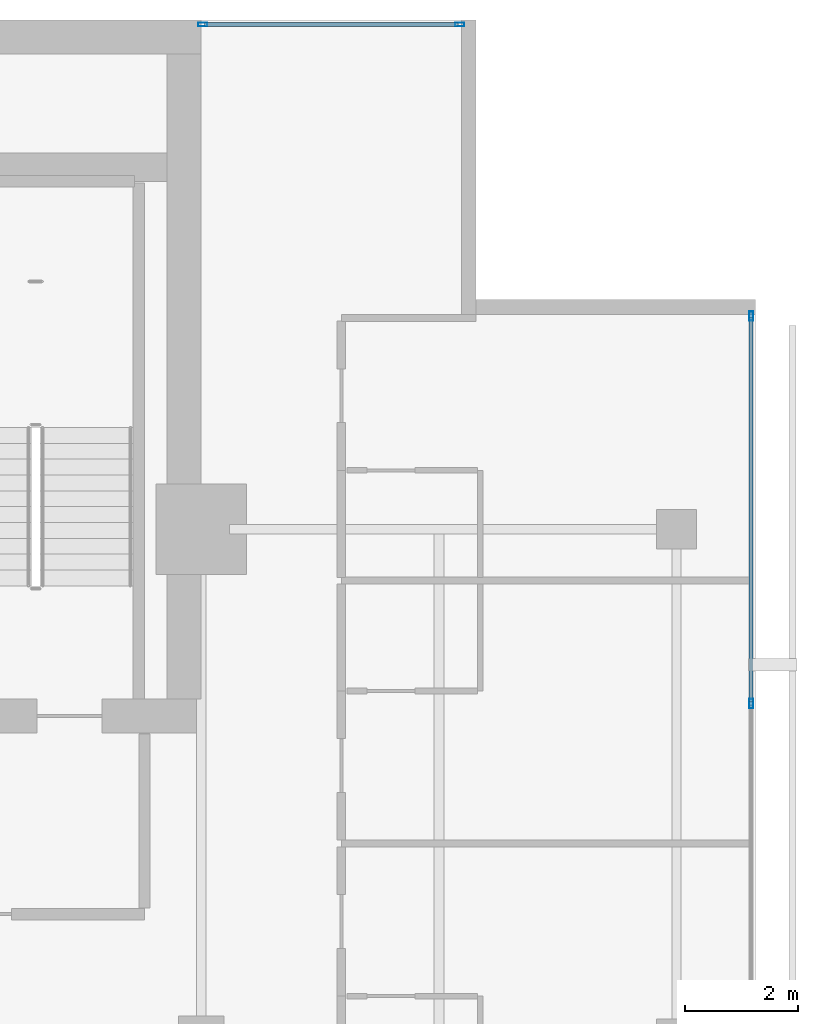
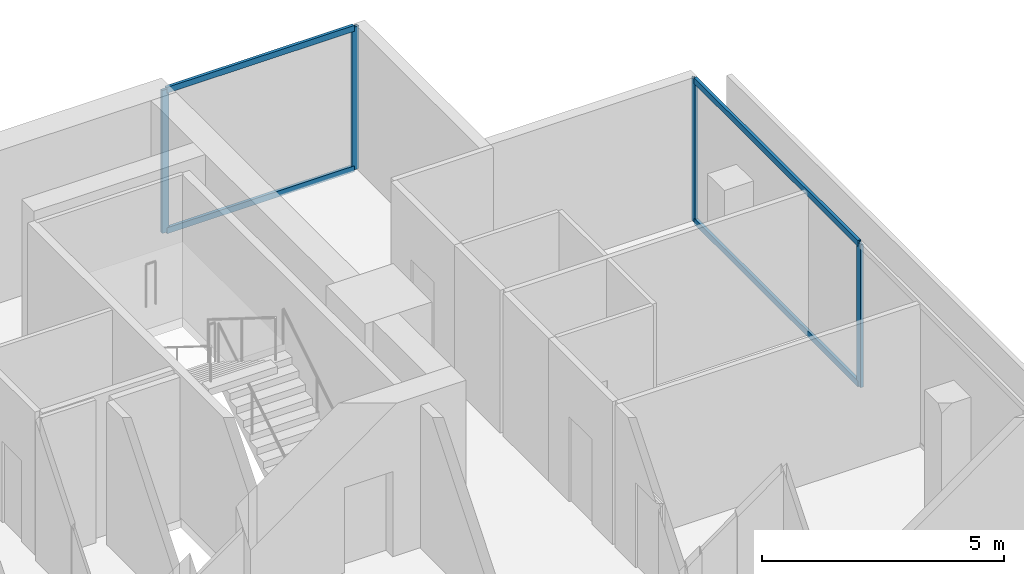
# One storey, part 18 of 26: 8 members, 2 elements without a shape of their own.
"""IFC4 building model written with IfcOpenShell, lengths in metres."""

from ifc_helpers import new_model, si_unit, direction, frame, origin, origin_2d, place, context, subcontext, project, spatial, hollow_rectangle, extrude, material, layer, layer_set, material_profile, profile_set, type_object, element, aggregate, save


model = new_model("IFC4")

# Units and contexts
model_context = context("Model", 3, precision=1e-05, world=origin(), true_north=direction((0.0, 1.0)))
body_context = subcontext(model_context, "Body", "Model", "MODEL_VIEW")
ifc_project = project(units=[si_unit("LENGTHUNIT", "METRE"), si_unit("AREAUNIT", "SQUARE_METRE"), si_unit("VOLUMEUNIT", "CUBIC_METRE"), si_unit("PLANEANGLEUNIT", "RADIAN"), si_unit("MASSUNIT", "GRAM", prefix="KILO")], contexts=[model_context])

# Site, building, storey
site_placement = place(None, origin())
site = spatial("IfcSite", under=ifc_project, at=site_placement, CompositionType="ELEMENT")
building_placement = place(site_placement, origin())
building = spatial("IfcBuilding", under=site, at=building_placement, Name="Maruvema Waterfront Hotel and Observation Tower", CompositionType="ELEMENT")
storey_placement = place(building_placement, frame((0.0, 0.0, 289.449951171875)))
storey = spatial("IfcBuildingStorey", under=building, at=storey_placement, Name="L71", CompositionType="ELEMENT", Elevation=289.449951171875)

# Curtain wall, members
ifc_material_1 = material(Name="Anodised bronze aluminium and solar-control low-E IGU", Category="aluminium")
ifc_layer = layer(ifc_material_1, 0.159912109375, Name="Zone 3 Champagne Inner Thermal Curtain Wall System CW-04")
ifc_layer_set = layer_set([ifc_layer], Name="Anodised bronze aluminium and solar-control low-E IGU")
curtain_wall_type = type_object("IfcCurtainWallType", Name="Zone 3 Champagne Inner Thermal Curtain Wall System CW-04", PredefinedType="USERDEFINED", material=ifc_layer_set)
curtain_wall_1_placement = place(storey_placement, origin())
curtain_wall_1 = element("IfcCurtainWall", 1, at=curtain_wall_1_placement, inside=storey, type_object=curtain_wall_type, Name="L71 Curtain Wall CW-L71-E", ObjectType="UNITISED CURTAIN WALL", PredefinedType="USERDEFINED")
ifc_material_2 = material(Name="Anodised architectural bronze aluminium", Category="aluminium")
ifc_material_profile_1 = material_profile(ifc_material_2, hollow_rectangle(XDim=0.070068359375, YDim=0.14990234375, WallThickness=0.00390625, at=origin_2d()), Name="ALU-T70x150")
ifc_profile_set_1 = profile_set([ifc_material_profile_1], Name="Anodised architectural bronze aluminium")
member_type_1 = type_object("IfcMemberType", Name="Curtain Wall Horizontal Transom ALU-T70x150", PredefinedType="USERDEFINED", material=ifc_profile_set_1)
member_1_placement = place(storey_placement, frame((60.1201171875, 41.949951171875, 0.030029296875), z_axis=(0.0, 1.0, 0.0), x_axis=(-1.0, 0.0, 0.0)))
member_1 = element("IfcMember", 2, at=member_1_placement, type_object=member_type_1, Name="CW-04 transom 5.1", ObjectType="TRANSOM", PredefinedType="USERDEFINED", context=body_context, shape_type="SweptSolid", body=[
    extrude(hollow_rectangle(XDim=0.070068359375, YDim=0.14990234375, WallThickness=0.00390625, at=origin_2d()), origin(), (0.0, 0.0, 1.0), 6.7900390625),
])
member_2_placement = place(storey_placement, frame((60.1201171875, 41.949951171875, 3.580078125), z_axis=(0.0, 1.0, 0.0), x_axis=(-1.0, 0.0, 0.0)))
member_2 = element("IfcMember", 3, at=member_2_placement, type_object=member_type_1, Name="CW-04 transom 5.2", ObjectType="TRANSOM", PredefinedType="USERDEFINED", context=body_context, shape_type="SweptSolid", body=[
    extrude(hollow_rectangle(XDim=0.070068359375, YDim=0.14990234375, WallThickness=0.00390625, at=origin_2d()), origin(), (0.0, 0.0, 1.0), 6.7900390625),
])

curtain_wall_2_placement = place(storey_placement, origin())
curtain_wall_2 = element("IfcCurtainWall", 4, at=curtain_wall_2_placement, inside=storey, type_object=curtain_wall_type, Name="L71 Curtain Wall CW-L71-NE", ObjectType="UNITISED CURTAIN WALL", PredefinedType="USERDEFINED")
member_3_placement = place(storey_placement, frame((54.93994140625, 53.919921875, 0.030029296875), z_axis=(-1.0, 0.0, 0.0), x_axis=(0.0, -1.0, 0.0)))
member_3 = element("IfcMember", 5, at=member_3_placement, type_object=member_type_1, Name="CW-04 transom 1.1", ObjectType="TRANSOM", PredefinedType="USERDEFINED", context=body_context, shape_type="SweptSolid", body=[
    extrude(hollow_rectangle(XDim=0.070068359375, YDim=0.14990234375, WallThickness=0.00390625, at=origin_2d()), origin(), (0.0, 0.0, 1.0), 4.47998046875),
])
member_4_placement = place(storey_placement, frame((54.93994140625, 53.919921875, 3.580078125), z_axis=(-1.0, 0.0, 0.0), x_axis=(0.0, -1.0, 0.0)))
member_4 = element("IfcMember", 6, at=member_4_placement, type_object=member_type_1, Name="CW-04 transom 1.2", ObjectType="TRANSOM", PredefinedType="USERDEFINED", context=body_context, shape_type="SweptSolid", body=[
    extrude(hollow_rectangle(XDim=0.070068359375, YDim=0.14990234375, WallThickness=0.00390625, at=origin_2d()), origin(), (0.0, 0.0, 1.0), 4.47998046875),
])

# Member
ifc_material_3 = material(Name="Anodised architectural bronze aluminium", Category="aluminium")
ifc_material_profile_2 = material_profile(ifc_material_3, hollow_rectangle(XDim=0.06494140625, YDim=0.1650390625, WallThickness=0.00390625, at=origin_2d()), Name="ALU-M65x165")
ifc_profile_set_2 = profile_set([ifc_material_profile_2], Name="Anodised architectural bronze aluminium")
member_type_2 = type_object("IfcMemberType", Name="Curtain Wall Primary Mullion ALU-M65x165", PredefinedType="MULLION", material=ifc_profile_set_2)
member_5_placement = place(storey_placement, frame((60.1201171875, 41.919921875, 0.0), z_axis=(0.0, 0.0, 1.0), x_axis=(-1.0, 0.0, 0.0)))
member_5 = element("IfcMember", 7, at=member_5_placement, type_object=member_type_2, Name="CW-04 mullion 5", PredefinedType="MULLION", context=body_context, shape_type="SweptSolid", body=[
    extrude(hollow_rectangle(XDim=0.06494140625, YDim=0.1650390625, WallThickness=0.00390625, at=origin_2d()), origin(), (0.0, 0.0, 1.0), 3.610107421875),
])

member_6_placement = place(storey_placement, frame((60.1201171875, 48.77001953125, 0.0), z_axis=(0.0, 0.0, 1.0), x_axis=(-1.0, 0.0, 0.0)))
member_6 = element("IfcMember", 8, at=member_6_placement, type_object=member_type_2, Name="CW-04 mullion 6", PredefinedType="MULLION", context=body_context, shape_type="SweptSolid", body=[
    extrude(hollow_rectangle(XDim=0.06494140625, YDim=0.1650390625, WallThickness=0.00390625, at=origin_2d()), origin(), (0.0, 0.0, 1.0), 3.610107421875),
])

aggregate(curtain_wall_1, [member_5, member_6, member_1, member_2])

member_7_placement = place(storey_placement, frame((54.969970703125, 53.919921875, 0.0), z_axis=(0.0, 0.0, 1.0), x_axis=(0.0, -1.0, 0.0)))
member_7 = element("IfcMember", 9, at=member_7_placement, type_object=member_type_2, Name="CW-04 mullion 1", PredefinedType="MULLION", context=body_context, shape_type="SweptSolid", body=[
    extrude(hollow_rectangle(XDim=0.06494140625, YDim=0.1650390625, WallThickness=0.00390625, at=origin_2d()), origin(), (0.0, 0.0, 1.0), 3.610107421875),
])

member_8_placement = place(storey_placement, frame((50.429931640625, 53.919921875, 0.0), z_axis=(0.0, 0.0, 1.0), x_axis=(0.0, -1.0, 0.0)))
member_8 = element("IfcMember", 10, at=member_8_placement, type_object=member_type_2, Name="CW-04 mullion 2", PredefinedType="MULLION", context=body_context, shape_type="SweptSolid", body=[
    extrude(hollow_rectangle(XDim=0.06494140625, YDim=0.1650390625, WallThickness=0.00390625, at=origin_2d()), origin(), (0.0, 0.0, 1.0), 3.610107421875),
])

aggregate(curtain_wall_2, [member_7, member_8, member_3, member_4])

save(model, "model.ifc")
